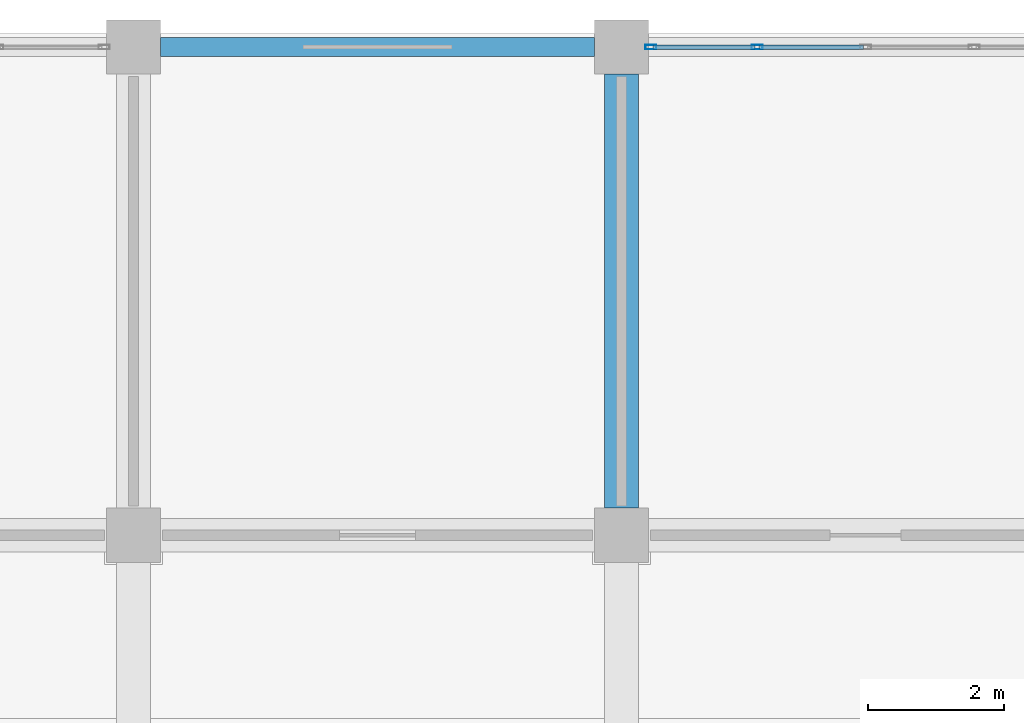
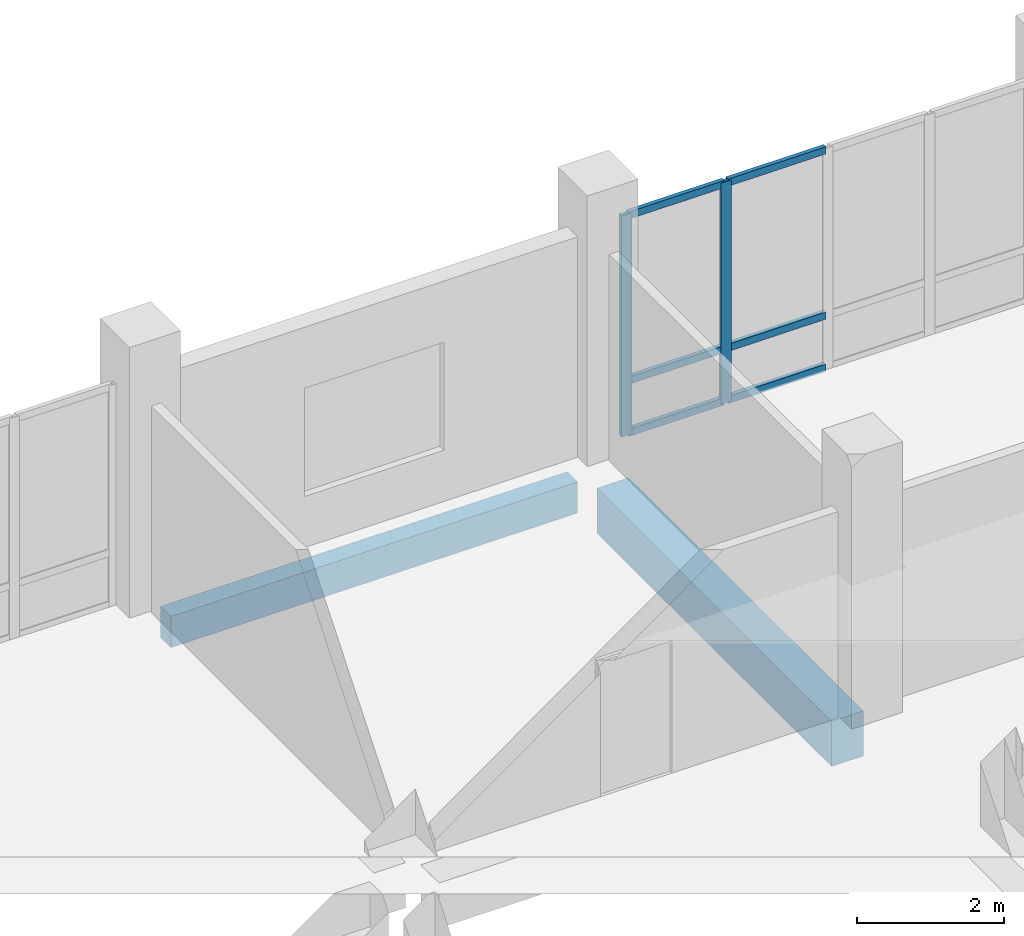
# One storey, part 54 of 139: 8 members, 2 beams, 1 element without a shape of its own.
"""IFC4 building model written with IfcOpenShell, lengths in metres."""

from ifc_helpers import new_model, si_unit, direction, frame, origin, origin_2d, place, context, subcontext, project, spatial, rectangle, hollow_rectangle, extrude, material, material_profile, profile_set, type_object, element, aggregate, save


model = new_model("IFC4")

# Units and contexts
model_context = context("Model", 3, precision=1e-05, world=origin(), true_north=direction((0.0, 1.0)))
body_context = subcontext(model_context, "Body", "Model", "MODEL_VIEW")
ifc_project = project(units=[si_unit("LENGTHUNIT", "METRE"), si_unit("AREAUNIT", "SQUARE_METRE"), si_unit("VOLUMEUNIT", "CUBIC_METRE"), si_unit("PLANEANGLEUNIT", "RADIAN"), si_unit("MASSUNIT", "GRAM", prefix="KILO")], contexts=[model_context])

# Site, building, storey
site_placement = place(None, origin())
site = spatial("IfcSite", under=ifc_project, at=site_placement, CompositionType="ELEMENT")
building_placement = place(site_placement, origin())
building = spatial("IfcBuilding", under=site, at=building_placement, Name="Suanplinth Sawtooth Commons", CompositionType="ELEMENT")
storey_placement = place(building_placement, origin())
storey = spatial("IfcBuildingStorey", under=building, at=storey_placement, Name="L00", CompositionType="ELEMENT", Elevation=0.0)

# Beams
ifc_material_1 = material(Name="Concrete C40/50", Category="concrete")
ifc_material_profile_1 = material_profile(ifc_material_1, rectangle(XDim=0.5, YDim=0.75, at=origin_2d()), Name="RC-GDR 500x750")
ifc_profile_set_1 = profile_set([ifc_material_profile_1], Name="Concrete C40/50")
beam_type_1 = type_object("IfcBeamType", Name="B-03", PredefinedType="USERDEFINED", material=ifc_profile_set_1)
beam_1_placement = place(storey_placement, frame((43.199951171875, 115.60009765625, -0.784912109375), z_axis=(0.0, 1.0, 0.0), x_axis=(-1.0, 0.0, 0.0)))
element("IfcBeam", 1, at=beam_1_placement, inside=storey, type_object=beam_type_1, Name="BMY-L00-A-6-16", ObjectType="GIRDER", PredefinedType="USERDEFINED", context=body_context, shape_type="SweptSolid", body=[
    extrude(rectangle(XDim=0.5, YDim=0.75, at=origin_2d()), origin(), (0.0, 0.0, 1.0), 6.39990234375),
])
ifc_material_2 = material(Name="Precast concrete C40/50", Category="concrete")
ifc_material_profile_2 = material_profile(ifc_material_2, rectangle(XDim=0.280029296875, YDim=0.52001953125, at=origin_2d()), Name="PC-SP 280x520")
ifc_profile_set_2 = profile_set([ifc_material_profile_2], Name="Precast concrete C40/50")
beam_type_2 = type_object("IfcBeamType", Name="B-08", PredefinedType="SPANDREL", material=ifc_profile_set_2)
beam_2_placement = place(storey_placement, frame((36.39990234375, 122.39990234375, -0.669921875), z_axis=(1.0, 0.0, 0.0), x_axis=(0.0, 1.0, 0.0)))
element("IfcBeam", 2, at=beam_2_placement, inside=storey, type_object=beam_type_2, Name="BMX-L00-A-5-17", PredefinedType="SPANDREL", context=body_context, shape_type="SweptSolid", body=[
    extrude(rectangle(XDim=0.280029296875, YDim=0.52001953125, at=origin_2d()), origin(), (0.0, 0.0, 1.0), 6.400146484375),
])

# Curtain wall, members
ifc_material_3 = material(Name="Anodized aluminium and low-E glazing", Category="aluminium")
curtain_wall_type = type_object("IfcCurtainWallType", Name="CW-04", PredefinedType="USERDEFINED", material=ifc_material_3)
curtain_wall_placement = place(storey_placement, origin())
curtain_wall = element("IfcCurtainWall", 3, at=curtain_wall_placement, inside=storey, type_object=curtain_wall_type, Name="Curtain Wall CW-L00-A-N-6", ObjectType="CURTAIN WALL", PredefinedType="USERDEFINED")
ifc_material_4 = material(Name="Anodized aluminium 6063-T6", Category="aluminium")
ifc_material_profile_3 = material_profile(ifc_material_4, hollow_rectangle(XDim=0.06494140625, YDim=0.159912109375, WallThickness=0.00390625, at=origin_2d()), Name="ALU-MUL 65x160")
ifc_profile_set_3 = profile_set([ifc_material_profile_3], Name="Anodized aluminium 6063-T6")
member_type_1 = type_object("IfcMemberType", Name="M-13", PredefinedType="MULLION", material=ifc_profile_set_3)
member_1_placement = place(storey_placement, frame((43.632568359375, 122.39990234375, 0.0), z_axis=(0.0, 0.0, 1.0), x_axis=(0.0, 1.0, 0.0)))
member_1 = element("IfcMember", 4, at=member_1_placement, type_object=member_type_1, Name="CW-04 mullion 1", PredefinedType="MULLION", context=body_context, shape_type="SweptSolid", body=[
    extrude(hollow_rectangle(XDim=0.06494140625, YDim=0.159912109375, WallThickness=0.00390625, at=origin_2d()), origin(), (0.0, 0.0, 1.0), 3.679931640625),
])
member_2_placement = place(storey_placement, frame((45.199951171875, 122.39990234375, 0.0), z_axis=(0.0, 0.0, 1.0), x_axis=(0.0, 1.0, 0.0)))
member_2 = element("IfcMember", 5, at=member_2_placement, type_object=member_type_1, Name="CW-04 mullion 2", PredefinedType="MULLION", context=body_context, shape_type="SweptSolid", body=[
    extrude(hollow_rectangle(XDim=0.06494140625, YDim=0.159912109375, WallThickness=0.00390625, at=origin_2d()), origin(), (0.0, 0.0, 1.0), 3.679931640625),
])
ifc_material_profile_4 = material_profile(ifc_material_4, hollow_rectangle(XDim=0.06494140625, YDim=0.1201171875, WallThickness=0.00390625, at=origin_2d()), Name="ALU-TRN 65x120")
ifc_profile_set_4 = profile_set([ifc_material_profile_4], Name="Anodized aluminium 6063-T6")
member_type_2 = type_object("IfcMemberType", Name="M-15", PredefinedType="USERDEFINED", material=ifc_profile_set_4)
member_3_placement = place(storey_placement, frame((43.6650390625, 122.39990234375, 0.032470703125), z_axis=(1.0, 0.0, 0.0), x_axis=(0.0, 1.0, 0.0)))
member_3 = element("IfcMember", 6, at=member_3_placement, type_object=member_type_2, Name="CW-04 transom 1.1", ObjectType="TRANSOM", PredefinedType="USERDEFINED", context=body_context, shape_type="SweptSolid", body=[
    extrude(hollow_rectangle(XDim=0.06494140625, YDim=0.1201171875, WallThickness=0.00390625, at=origin_2d()), origin(), (0.0, 0.0, 1.0), 1.50244140625),
])
member_4_placement = place(storey_placement, frame((43.6650390625, 122.39990234375, 0.89990234375), z_axis=(1.0, 0.0, 0.0), x_axis=(0.0, 1.0, 0.0)))
member_4 = element("IfcMember", 7, at=member_4_placement, type_object=member_type_2, Name="CW-04 transom 1.2", ObjectType="TRANSOM", PredefinedType="USERDEFINED", context=body_context, shape_type="SweptSolid", body=[
    extrude(hollow_rectangle(XDim=0.06494140625, YDim=0.1201171875, WallThickness=0.00390625, at=origin_2d()), origin(), (0.0, 0.0, 1.0), 1.50244140625),
])
member_5_placement = place(storey_placement, frame((43.6650390625, 122.39990234375, 3.6474609375), z_axis=(1.0, 0.0, 0.0), x_axis=(0.0, 1.0, 0.0)))
member_5 = element("IfcMember", 8, at=member_5_placement, type_object=member_type_2, Name="CW-04 transom 1.3", ObjectType="TRANSOM", PredefinedType="USERDEFINED", context=body_context, shape_type="SweptSolid", body=[
    extrude(hollow_rectangle(XDim=0.06494140625, YDim=0.1201171875, WallThickness=0.00390625, at=origin_2d()), origin(), (0.0, 0.0, 1.0), 1.50244140625),
])
member_6_placement = place(storey_placement, frame((45.232421875, 122.39990234375, 0.032470703125), z_axis=(1.0, 0.0, 0.0), x_axis=(0.0, 1.0, 0.0)))
member_6 = element("IfcMember", 9, at=member_6_placement, type_object=member_type_2, Name="CW-04 transom 2.1", ObjectType="TRANSOM", PredefinedType="USERDEFINED", context=body_context, shape_type="SweptSolid", body=[
    extrude(hollow_rectangle(XDim=0.06494140625, YDim=0.1201171875, WallThickness=0.00390625, at=origin_2d()), origin(), (0.0, 0.0, 1.0), 1.53515625),
])
member_7_placement = place(storey_placement, frame((45.232421875, 122.39990234375, 0.89990234375), z_axis=(1.0, 0.0, 0.0), x_axis=(0.0, 1.0, 0.0)))
member_7 = element("IfcMember", 10, at=member_7_placement, type_object=member_type_2, Name="CW-04 transom 2.2", ObjectType="TRANSOM", PredefinedType="USERDEFINED", context=body_context, shape_type="SweptSolid", body=[
    extrude(hollow_rectangle(XDim=0.06494140625, YDim=0.1201171875, WallThickness=0.00390625, at=origin_2d()), origin(), (0.0, 0.0, 1.0), 1.53515625),
])
member_8_placement = place(storey_placement, frame((45.232421875, 122.39990234375, 3.6474609375), z_axis=(1.0, 0.0, 0.0), x_axis=(0.0, 1.0, 0.0)))
member_8 = element("IfcMember", 11, at=member_8_placement, type_object=member_type_2, Name="CW-04 transom 2.3", ObjectType="TRANSOM", PredefinedType="USERDEFINED", context=body_context, shape_type="SweptSolid", body=[
    extrude(hollow_rectangle(XDim=0.06494140625, YDim=0.1201171875, WallThickness=0.00390625, at=origin_2d()), origin(), (0.0, 0.0, 1.0), 1.53515625),
])
aggregate(curtain_wall, [member_1, member_2, member_3, member_4, member_5, member_6, member_7, member_8])

save(model, "model.ifc")
